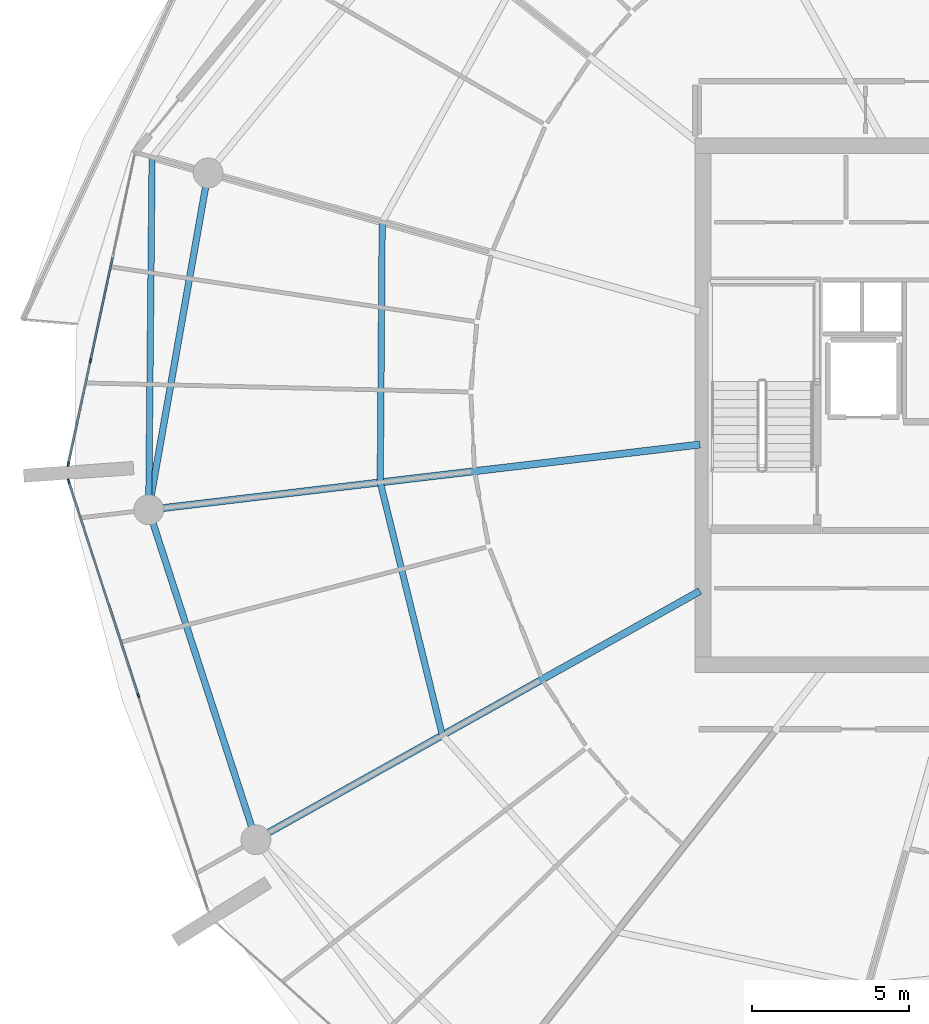
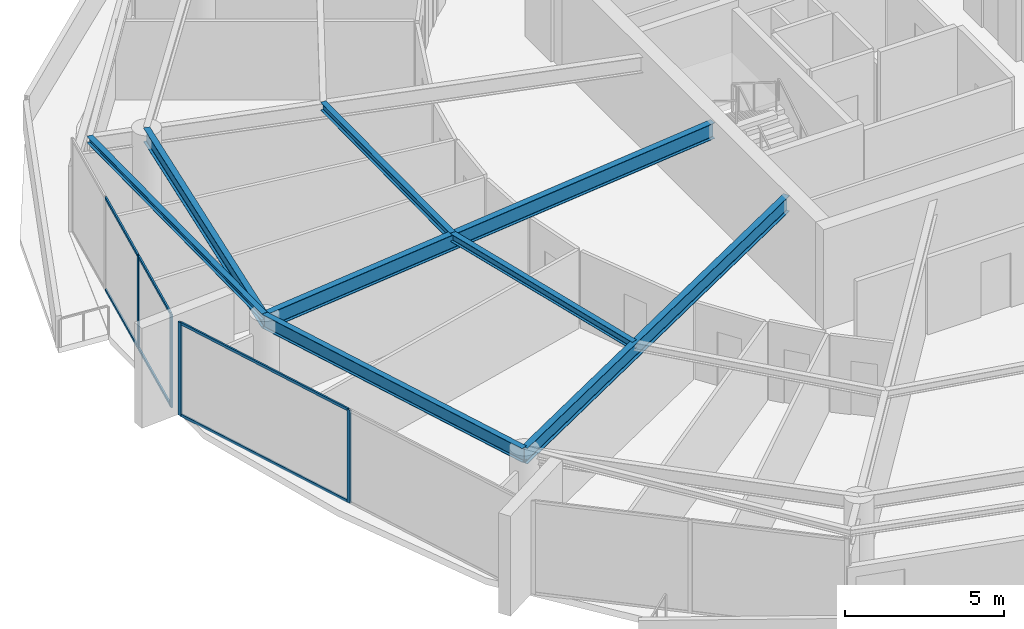
# One storey, part 8 of 30: 10 members, 7 beams, 2 elements without a shape of their own.
"""IFC4 building model written with IfcOpenShell, lengths in metres."""

import ifcopenshell
import ifcopenshell.guid

model = None  # the IFC model being written
_history = None  # IfcOwnerHistory: only IFC2X3 demands one
_inside = {}  # id of a spatial element -> (the spatial element, [elements in it])
_under = {}  # id of a project, library or spatial element -> (it, [spatial elements below it])
_declared = {}  # id of a project -> (the project, [libraries it declares])
_typed = {}  # id of a type object -> (the type object, [elements of that type])
_made_of = {}  # id of a material, layer set ... -> (it, [elements and type objects made of it])


def new_model(schema):
    """Start an empty IFC model of exactly this schema.

    Asked for "IFC4X3", IfcOpenShell would pick the latest addendum, in which some entities
    have other attributes; the version numbers below select the first issue.
    IFC2X3 requires an IfcOwnerHistory on every rooted entity: one is made here for all.
    """
    global model, _history
    if schema == "IFC4X3":
        model = ifcopenshell.file(schema_version=(4, 3, 0, 0))
    else:
        model = ifcopenshell.file(schema=schema)
    _inside.clear()
    _under.clear()
    _declared.clear()
    _typed.clear()
    _made_of.clear()
    _history = None
    if model.schema == "IFC2X3":
        org = make("IfcOrganization", Name="unknown")
        user = make(
            "IfcPersonAndOrganization",
            ThePerson=make("IfcPerson", FamilyName="unknown"),
            TheOrganization=org,
        )
        app = make(
            "IfcApplication",
            ApplicationDeveloper=org,
            Version="unknown",
            ApplicationFullName="unknown",
            ApplicationIdentifier="unknown",
        )
        _history = make(
            "IfcOwnerHistory",
            OwningUser=user,
            OwningApplication=app,
            ChangeAction="ADDED",
            CreationDate=0,
        )
    return model


def make(cls, **values):
    """One entity of the class cls with the attributes given. An attribute that is None is left unset."""
    return model.create_entity(
        cls, **{name: value for name, value in values.items() if value is not None}
    )


def rooted(cls, **values):
    """An entity with a GlobalId (a new one), such as an element, a storey or a relation."""
    return make(cls, GlobalId=ifcopenshell.guid.new(), OwnerHistory=_history, **values)


def si_unit(unit_type, name, prefix=None):
    """IfcSIUnit, for example si_unit("LENGTHUNIT", "METRE", prefix="MILLI")."""
    return make("IfcSIUnit", UnitType=unit_type, Prefix=prefix, Name=name)


def assignment(units):
    """IfcUnitAssignment: the units of a project."""
    return None if units is None else make("IfcUnitAssignment", Units=units)


def point(xyz):
    """IfcCartesianPoint."""
    return None if xyz is None else make("IfcCartesianPoint", Coordinates=xyz)


def direction(xyz):
    """IfcDirection."""
    return None if xyz is None else make("IfcDirection", DirectionRatios=xyz)


def frame(location, z_axis=None, x_axis=None):
    """IfcAxis2Placement3D, a coordinate frame: its origin and axes. An axis left out is left unset."""
    return make(
        "IfcAxis2Placement3D",
        Location=point(location),
        Axis=direction(z_axis),
        RefDirection=direction(x_axis),
    )


def frame_2d(location, x_axis=None):
    """IfcAxis2Placement2D, a coordinate frame in the plane: its origin and x axis."""
    return make(
        "IfcAxis2Placement2D", Location=point(location), RefDirection=direction(x_axis)
    )


def origin():
    """The frame at (0, 0, 0) with its axes left unset."""
    return frame((0.0, 0.0, 0.0))


def origin_2d():
    """The frame at (0, 0) in the plane with its x axis left unset."""
    return frame_2d((0.0, 0.0))


def place(relative_to, where):
    """IfcLocalPlacement: puts the frame where relative to a parent placement (None: the world)."""
    return make(
        "IfcLocalPlacement", PlacementRelTo=relative_to, RelativePlacement=where
    )


def context(
    kind, dimensions, precision=None, world=None, true_north=None, identifier=None
):
    """IfcGeometricRepresentationContext, for example the 3D "Model" context."""
    return make(
        "IfcGeometricRepresentationContext",
        ContextIdentifier=identifier,
        ContextType=kind,
        CoordinateSpaceDimension=dimensions,
        Precision=precision,
        WorldCoordinateSystem=world,
        TrueNorth=true_north,
    )


def subcontext(parent, identifier, kind, view, scale=None):
    """IfcGeometricRepresentationSubContext, for example "Body" below "Model"."""
    return make(
        "IfcGeometricRepresentationSubContext",
        ContextIdentifier=identifier,
        ContextType=kind,
        ParentContext=parent,
        TargetScale=scale,
        TargetView=view,
    )


def project(units=None, contexts=None):
    """IfcProject with its units and contexts."""
    return rooted(
        "IfcProject",
        Name="project",
        RepresentationContexts=contexts,
        UnitsInContext=assignment(units),
    )


def spatial(cls, under=None, at=None, **own):
    """A site, building, storey or space (cls), placed at a placement, below another one or the project."""
    s = rooted(cls, ObjectPlacement=at, **own)
    if under is not None:
        _under.setdefault(under.id(), (under, []))[1].append(s)
    return s


def profile(cls, at=None, kind="AREA", **sizes):
    """A parametric profile (cls). Its sizes go by their IFC names, for example OverallWidth=200.0."""
    return make(cls, ProfileType=kind, Position=at, **sizes)


def rectangle(**sizes):
    """IfcRectangleProfileDef."""
    return profile("IfcRectangleProfileDef", **sizes)


def i_section(**sizes):
    """IfcIShapeProfileDef."""
    return profile("IfcIShapeProfileDef", **sizes)


def extrude(swept, where, along, depth):
    """IfcExtrudedAreaSolid: the profile swept, set in the frame where, extruded along a direction by depth."""
    return make(
        "IfcExtrudedAreaSolid",
        SweptArea=swept,
        Position=where,
        ExtrudedDirection=direction(along),
        Depth=depth,
    )


def shape(context_of_items, identifier, shape_type, items):
    """IfcShapeRepresentation: the items that make up one representation, for example the "Body"."""
    return make(
        "IfcShapeRepresentation",
        ContextOfItems=context_of_items,
        RepresentationIdentifier=identifier,
        RepresentationType=shape_type,
        Items=items,
    )


def material(Name=None, Category=None):
    """IfcMaterial."""
    return make("IfcMaterial", Name=Name, Category=Category)


def layer(
    of_material, thickness, ventilated=None, Name=None, Category=None, Priority=None
):
    """IfcMaterialLayer: one layer of a wall or slab, of a material (None: an air gap)."""
    return make(
        "IfcMaterialLayer",
        Material=of_material,
        LayerThickness=thickness,
        IsVentilated=ventilated,
        Name=Name,
        Category=Category,
        Priority=Priority,
    )


def layer_set(layers, Name=None):
    """IfcMaterialLayerSet."""
    return make("IfcMaterialLayerSet", MaterialLayers=layers, LayerSetName=Name)


def material_profile(
    of_material, cross_section, Name=None, Category=None, Priority=None
):
    """IfcMaterialProfile: a cross section and its material."""
    return make(
        "IfcMaterialProfile",
        Name=Name,
        Material=of_material,
        Profile=cross_section,
        Priority=Priority,
        Category=Category,
    )


def profile_set(profiles, Name=None, composite=None):
    """IfcMaterialProfileSet."""
    return make(
        "IfcMaterialProfileSet",
        Name=Name,
        MaterialProfiles=profiles,
        CompositeProfile=composite,
    )


def made_of(thing, what):
    """Note that an element or type object is made of a material, layer set ...; save() writes the relation."""
    if what is not None:
        _made_of.setdefault(what.id(), (what, []))[1].append(thing)
    return thing


def type_object(cls, material=None, **own):
    """A type object (cls), such as IfcWallType, which elements share."""
    return made_of(rooted(cls, **own), material)


def element(
    cls,
    number,
    at=None,
    inside=None,
    cuts=None,
    type_object=None,
    material=None,
    context=None,
    identifier="Body",
    shape_type=None,
    held_by="IfcProductDefinitionShape",
    body=None,
    shapes=None,
    **own,
):
    """One element of the class cls, such as IfcWall. Its Tag is "e" and its number.

    at: its placement. inside: the storey or other place that contains it. cuts: it is an
    opening in that element (IfcRelVoidsElement). A single representation is given by context,
    identifier, shape_type and body (its items); several are given by shapes. held_by: the class
    of the entity that holds the representations. save() writes the other relations.
    """
    e = rooted(cls, Tag="e%d" % number, ObjectPlacement=at, **own)
    if body is not None:
        shapes = [shape(context, identifier, shape_type, body)]
    if shapes is not None:
        e.Representation = make(held_by, Representations=shapes)
    if inside is not None:
        _inside.setdefault(inside.id(), (inside, []))[1].append(e)
    if cuts is not None:
        rooted(
            "IfcRelVoidsElement", RelatingBuildingElement=cuts, RelatedOpeningElement=e
        )
    if type_object is not None:
        _typed.setdefault(type_object.id(), (type_object, []))[1].append(e)
    return made_of(e, material)


def aggregate(whole, parts):
    """IfcRelAggregates: a whole, such as a stair, and the parts it consists of."""
    return rooted("IfcRelAggregates", RelatingObject=whole, RelatedObjects=parts)


def save(model, path):
    """Write the relations noted so far, then the file.

    IfcRelAggregates (storeys below a building ...), IfcRelContainedInSpatialStructure (elements
    in a storey), IfcRelDefinesByType, IfcRelAssociatesMaterial and IfcRelDeclares: one each for
    every whole, place, type object, material and project.
    """
    for whole, parts in _under.values():
        aggregate(whole, parts)
    for where, things in _inside.values():
        rooted(
            "IfcRelContainedInSpatialStructure",
            RelatedElements=things,
            RelatingStructure=where,
        )
    for kind, things in _typed.values():
        rooted("IfcRelDefinesByType", RelatedObjects=things, RelatingType=kind)
    for what, things in _made_of.values():
        rooted("IfcRelAssociatesMaterial", RelatedObjects=things, RelatingMaterial=what)
    for by, libraries in _declared.values():
        rooted("IfcRelDeclares", RelatingContext=by, RelatedDefinitions=libraries)
    model.write(path)


model = new_model("IFC4")

# Units and contexts
model_context = context("Model", 3, precision=1e-05, world=origin(), true_north=direction((0.0, 1.0)))
body_context = subcontext(model_context, "Body", "Model", "MODEL_VIEW")
ifc_project = project(units=[si_unit("LENGTHUNIT", "METRE"), si_unit("AREAUNIT", "SQUARE_METRE"), si_unit("VOLUMEUNIT", "CUBIC_METRE"), si_unit("PLANEANGLEUNIT", "RADIAN"), si_unit("MASSUNIT", "GRAM", prefix="KILO")], contexts=[model_context])

# Site, building, storey
site_placement = place(None, origin())
site = spatial("IfcSite", under=ifc_project, at=site_placement, CompositionType="ELEMENT")
building_placement = place(site_placement, origin())
building = spatial("IfcBuilding", under=site, at=building_placement, Name="Kazma Halo Residences", CompositionType="ELEMENT")
storey_placement = place(building_placement, frame((0.0, 0.0, 279.050048828125)))
storey = spatial("IfcBuildingStorey", under=building, at=storey_placement, Name="L70", CompositionType="ELEMENT", Elevation=279.050048828125)

# Beams
ifc_material_1 = material(Name="Steel S355", Category="steel")
ifc_material_profile_1 = material_profile(ifc_material_1, i_section(OverallWidth=0.201904296875, OverallDepth=0.2470703125, WebThickness=0.00732421875, FlangeThickness=0.010986328125, FilletRadius=0.011962890625, at=origin_2d()), Name="W250x49.1")
ifc_profile_set_1 = profile_set([ifc_material_profile_1], Name="Steel S355")
beam_type_1 = type_object("IfcBeamType", Name="BM-BAL-CANT", PredefinedType="BEAM", material=ifc_profile_set_1)
beam_1_placement = place(storey_placement, frame((20.028564453125, 49.888916015625, 3.466552734375), z_axis=(-0.009645503464, -0.999953481049, 0.0), x_axis=(0.999953481049, -0.009645503464, 0.0)))
element("IfcBeam", 1, at=beam_1_placement, inside=storey, type_object=beam_type_1, Name="L70 wave-balcony tie beam 07", PredefinedType="BEAM", context=body_context, shape_type="SweptSolid", body=[
    extrude(i_section(OverallWidth=0.201904296875, OverallDepth=0.2470703125, WebThickness=0.00732421875, FlangeThickness=0.010986328125, FilletRadius=0.011962890625, at=origin_2d()), origin(), (0.0, 0.0, 1.0), 11.212890625),
])
ifc_material_profile_2 = material_profile(ifc_material_1, i_section(OverallWidth=0.22802734375, OverallDepth=0.60791015625, WebThickness=0.01123046875, FlangeThickness=0.017333984375, FilletRadius=0.01806640625, at=origin_2d()), Name="W610x113")
ifc_profile_set_2 = profile_set([ifc_material_profile_2], Name="Steel S355")
beam_type_2 = type_object("IfcBeamType", Name="BM-RAD-W610", PredefinedType="BEAM", material=ifc_profile_set_2)
beam_2_placement = place(storey_placement, frame((37.449951171875, 40.751220703125, 3.285888671875), z_axis=(-0.993068793341, -0.11753455531, 0.0), x_axis=(0.11753455531, -0.993068793341, 0.0)))
element("IfcBeam", 2, at=beam_2_placement, inside=storey, type_object=beam_type_2, Name="L70 radial floor beam 08", PredefinedType="BEAM", context=body_context, shape_type="SweptSolid", body=[
    extrude(i_section(OverallWidth=0.22802734375, OverallDepth=0.60791015625, WebThickness=0.01123046875, FlangeThickness=0.017333984375, FilletRadius=0.01806640625, at=origin_2d()), origin(), (0.0, 0.0, 1.0), 17.65185546875),
])
beam_3_placement = place(storey_placement, frame((37.449951171875, 36.091796875, 3.285888671875), z_axis=(-0.872497784052, -0.488618068459, 0.0), x_axis=(0.488618068459, -0.872497784052, 0.0)))
element("IfcBeam", 3, at=beam_3_placement, inside=storey, type_object=beam_type_2, Name="L70 radial floor beam 09", PredefinedType="BEAM", context=body_context, shape_type="SweptSolid", body=[
    extrude(i_section(OverallWidth=0.22802734375, OverallDepth=0.60791015625, WebThickness=0.01123046875, FlangeThickness=0.017333984375, FilletRadius=0.01806640625, at=origin_2d()), origin(), (0.0, 0.0, 1.0), 16.183837890625),
])
ifc_material_profile_3 = material_profile(ifc_material_1, i_section(OverallWidth=0.202880859375, OverallDepth=0.302978515625, WebThickness=0.007568359375, FlangeThickness=0.01318359375, FilletRadius=0.013916015625, at=origin_2d()), Name="W310x60")
ifc_profile_set_3 = profile_set([ifc_material_profile_3], Name="Steel S355")
beam_type_3 = type_object("IfcBeamType", Name="BM-SEC-W310A", PredefinedType="JOIST", material=ifc_profile_set_3)
beam_4_placement = place(storey_placement, frame((27.345458984375, 47.8251953125, 3.4384765625), z_axis=(-0.007550738936, -0.999971492764, 0.0), x_axis=(0.999971492764, -0.007550738936, 0.0)))
element("IfcBeam", 4, at=beam_4_placement, inside=storey, type_object=beam_type_3, Name="L70 circumferential floor joist 07", PredefinedType="JOIST", context=body_context, shape_type="SweptSolid", body=[
    extrude(i_section(OverallWidth=0.202880859375, OverallDepth=0.302978515625, WebThickness=0.007568359375, FlangeThickness=0.01318359375, FilletRadius=0.013916015625, at=origin_2d()), origin(), (0.0, 0.0, 1.0), 8.27734375),
])
beam_5_placement = place(storey_placement, frame((27.282958984375, 39.548095703125, 3.4384765625), z_axis=(0.238732984375, -0.971085249693, 0.0), x_axis=(0.971085249693, 0.238732984375, 0.0)))
element("IfcBeam", 5, at=beam_5_placement, inside=storey, type_object=beam_type_3, Name="L70 circumferential floor joist 08", PredefinedType="JOIST", context=body_context, shape_type="SweptSolid", body=[
    extrude(i_section(OverallWidth=0.202880859375, OverallDepth=0.302978515625, WebThickness=0.007568359375, FlangeThickness=0.01318359375, FilletRadius=0.013916015625, at=origin_2d()), origin(), (0.0, 0.0, 1.0), 8.282470703125),
])
ifc_material_profile_4 = material_profile(ifc_material_1, i_section(OverallWidth=0.208984375, OverallDepth=0.532958984375, WebThickness=0.01025390625, FlangeThickness=0.015625, FilletRadius=0.01611328125, at=origin_2d()), Name="W530x92")
ifc_profile_set_4 = profile_set([ifc_material_profile_4], Name="Steel S355")
beam_type_4 = type_object("IfcBeamType", Name="BM-SPN-W530", PredefinedType="BEAM", material=ifc_profile_set_4)
beam_6_placement = place(storey_placement, frame((21.80908203125, 49.38671875, 3.323486328125), z_axis=(-0.173663672311, -0.984805020763, 0.0), x_axis=(0.984805020763, -0.173663672311, 0.0)))
element("IfcBeam", 6, at=beam_6_placement, inside=storey, type_object=beam_type_4, Name="L70 perimeter ring beam 07", PredefinedType="BEAM", context=body_context, shape_type="SweptSolid", body=[
    extrude(i_section(OverallWidth=0.208984375, OverallDepth=0.532958984375, WebThickness=0.01025390625, FlangeThickness=0.015625, FilletRadius=0.01611328125, at=origin_2d()), origin(), (0.0, 0.0, 1.0), 10.87548828125),
])
beam_7_placement = place(storey_placement, frame((19.92041015625, 38.676513671875, 3.323486328125), z_axis=(0.309015517474, -0.951056996168, 0.0), x_axis=(0.951056996168, 0.309015517474, 0.0)))
element("IfcBeam", 7, at=beam_7_placement, inside=storey, type_object=beam_type_4, Name="L70 perimeter ring beam 08", PredefinedType="BEAM", context=body_context, shape_type="SweptSolid", body=[
    extrude(i_section(OverallWidth=0.208984375, OverallDepth=0.532958984375, WebThickness=0.01025390625, FlangeThickness=0.015625, FilletRadius=0.01611328125, at=origin_2d()), origin(), (0.0, 0.0, 1.0), 11.032470703125),
])

# Curtain wall, members
ifc_material_2 = material(Name="Aluminium AW-6063 T6 and Triple-Silver Low-E Glass", Category="aluminium")
ifc_layer = layer(ifc_material_2, 0.139892578125)
ifc_layer_set = layer_set([ifc_layer], Name="Aluminium AW-6063 T6 and Triple-Silver Low-E Glass")
curtain_wall_type = type_object("IfcCurtainWallType", Name="CW-SYS-5", PredefinedType="NOTDEFINED", material=ifc_layer_set)
curtain_wall_1_placement = place(storey_placement, origin())
curtain_wall_1 = element("IfcCurtainWall", 8, at=curtain_wall_1_placement, inside=storey, type_object=curtain_wall_type, Name="L70 unitised curtain wall B07", PredefinedType="NOTDEFINED")
ifc_material_3 = material(Name="Aluminium AW-6063 T6", Category="aluminium")
ifc_material_profile_5 = material_profile(ifc_material_3, rectangle(XDim=0.06005859375, YDim=0.139892578125, at=origin_2d()), Name="CWM-60x140")
ifc_profile_set_5 = profile_set([ifc_material_profile_5], Name="Aluminium AW-6063 T6")
member_type_1 = type_object("IfcMemberType", Name="CW-SYS-5-MUL", PredefinedType="MULLION", material=ifc_profile_set_5)
member_1_placement = place(storey_placement, frame((18.0703125, 43.412841796875, 0.0), z_axis=(0.0, 0.0, 1.0), x_axis=(0.97777491373, -0.209657382603, 0.0)))
member_1 = element("IfcMember", 9, at=member_1_placement, type_object=member_type_1, Name="CWS-5 mullion 3", PredefinedType="MULLION", context=body_context, shape_type="SweptSolid", body=[
    extrude(rectangle(XDim=0.06005859375, YDim=0.139892578125, at=origin_2d()), origin(), (0.0, 0.0, 1.0), 3.58984375),
])
member_2_placement = place(storey_placement, frame((17.3662109375, 40.12841796875, 0.0), z_axis=(0.0, 0.0, 1.0), x_axis=(0.97777491373, -0.209657382603, 0.0)))
member_2 = element("IfcMember", 10, at=member_2_placement, type_object=member_type_1, Name="CWS-5 mullion 4", PredefinedType="MULLION", context=body_context, shape_type="SweptSolid", body=[
    extrude(rectangle(XDim=0.06005859375, YDim=0.139892578125, at=origin_2d()), origin(), (0.0, 0.0, 1.0), 3.58984375),
])

curtain_wall_2_placement = place(storey_placement, origin())
curtain_wall_2 = element("IfcCurtainWall", 11, at=curtain_wall_2_placement, inside=storey, type_object=curtain_wall_type, Name="L70 unitised curtain wall B08", PredefinedType="NOTDEFINED")
member_3_placement = place(storey_placement, frame((17.377197265625, 39.587646484375, 0.0), z_axis=(0.0, 0.0, 1.0), x_axis=(0.951058464359, 0.309010998786, 0.0)))
member_3 = element("IfcMember", 12, at=member_3_placement, type_object=member_type_1, Name="CWS-5 mullion 1", PredefinedType="MULLION", context=body_context, shape_type="SweptSolid", body=[
    extrude(rectangle(XDim=0.06005859375, YDim=0.139892578125, at=origin_2d()), origin(), (0.0, 0.0, 1.0), 3.58984375),
])
member_4_placement = place(storey_placement, frame((19.59228515625, 32.769775390625, 0.0), z_axis=(0.0, 0.0, 1.0), x_axis=(0.951058464359, 0.309010998786, 0.0)))
member_4 = element("IfcMember", 13, at=member_4_placement, type_object=member_type_1, Name="CWS-5 mullion 2", PredefinedType="MULLION", context=body_context, shape_type="SweptSolid", body=[
    extrude(rectangle(XDim=0.06005859375, YDim=0.139892578125, at=origin_2d()), origin(), (0.0, 0.0, 1.0), 3.58984375),
])

# Member
ifc_material_profile_6 = material_profile(ifc_material_3, rectangle(XDim=0.06005859375, YDim=0.10498046875, at=origin_2d()), Name="CWT-60x105")
ifc_profile_set_6 = profile_set([ifc_material_profile_6], Name="Aluminium AW-6063 T6")
member_type_2 = type_object("IfcMemberType", Name="CW-SYS-5-TRN", PredefinedType="USERDEFINED", material=ifc_profile_set_6)
member_5_placement = place(storey_placement, frame((18.774658203125, 46.697265625, 0.030029296875), z_axis=(-0.209664309019, -0.977773428522, 0.0), x_axis=(0.977773428522, -0.209664309019, 0.0)))
member_5 = element("IfcMember", 14, at=member_5_placement, type_object=member_type_2, Name="CWS-5 transom 2.1", ObjectType="TRANSOM", PredefinedType="USERDEFINED", context=body_context, shape_type="SweptSolid", body=[
    extrude(rectangle(XDim=0.06005859375, YDim=0.10498046875, at=origin_2d()), origin(), (0.0, 0.0, 1.0), 3.3291015625),
])

member_6_placement = place(storey_placement, frame((18.774658203125, 46.697265625, 3.56005859375), z_axis=(-0.209664309019, -0.977773428522, 0.0), x_axis=(0.977773428522, -0.209664309019, 0.0)))
member_6 = element("IfcMember", 15, at=member_6_placement, type_object=member_type_2, Name="CWS-5 transom 2.2", ObjectType="TRANSOM", PredefinedType="USERDEFINED", context=body_context, shape_type="SweptSolid", body=[
    extrude(rectangle(XDim=0.06005859375, YDim=0.10498046875, at=origin_2d()), origin(), (0.0, 0.0, 1.0), 3.3291015625),
])

member_7_placement = place(storey_placement, frame((18.064208984375, 43.383544921875, 0.030029296875), z_axis=(-0.209645323239, -0.977777499457, 0.0), x_axis=(0.977777499457, -0.209645323239, 0.0)))
member_7 = element("IfcMember", 16, at=member_7_placement, type_object=member_type_2, Name="CWS-5 transom 3.1", ObjectType="TRANSOM", PredefinedType="USERDEFINED", context=body_context, shape_type="SweptSolid", body=[
    extrude(rectangle(XDim=0.06005859375, YDim=0.10498046875, at=origin_2d()), origin(), (0.0, 0.0, 1.0), 3.299072265625),
])

member_8_placement = place(storey_placement, frame((18.064208984375, 43.383544921875, 3.56005859375), z_axis=(-0.209645323239, -0.977777499457, 0.0), x_axis=(0.977777499457, -0.209645323239, 0.0)))
member_8 = element("IfcMember", 17, at=member_8_placement, type_object=member_type_2, Name="CWS-5 transom 3.2", ObjectType="TRANSOM", PredefinedType="USERDEFINED", context=body_context, shape_type="SweptSolid", body=[
    extrude(rectangle(XDim=0.06005859375, YDim=0.10498046875, at=origin_2d()), origin(), (0.0, 0.0, 1.0), 3.299072265625),
])

aggregate(curtain_wall_1, [member_1, member_2, member_5, member_6, member_7, member_8])

member_9_placement = place(storey_placement, frame((17.386474609375, 39.55908203125, 0.030029296875), z_axis=(0.308995987448, -0.951063341603, 0.0), x_axis=(0.951063341603, 0.308995987448, 0.0)))
member_9 = element("IfcMember", 18, at=member_9_placement, type_object=member_type_2, Name="CWS-5 transom 1.1", ObjectType="TRANSOM", PredefinedType="USERDEFINED", context=body_context, shape_type="SweptSolid", body=[
    extrude(rectangle(XDim=0.06005859375, YDim=0.10498046875, at=origin_2d()), origin(), (0.0, 0.0, 1.0), 7.108642578125),
])

member_10_placement = place(storey_placement, frame((17.386474609375, 39.55908203125, 3.56005859375), z_axis=(0.308995987448, -0.951063341603, 0.0), x_axis=(0.951063341603, 0.308995987448, 0.0)))
member_10 = element("IfcMember", 19, at=member_10_placement, type_object=member_type_2, Name="CWS-5 transom 1.2", ObjectType="TRANSOM", PredefinedType="USERDEFINED", context=body_context, shape_type="SweptSolid", body=[
    extrude(rectangle(XDim=0.06005859375, YDim=0.10498046875, at=origin_2d()), origin(), (0.0, 0.0, 1.0), 7.108642578125),
])

aggregate(curtain_wall_2, [member_3, member_4, member_9, member_10])

save(model, "model.ifc")
